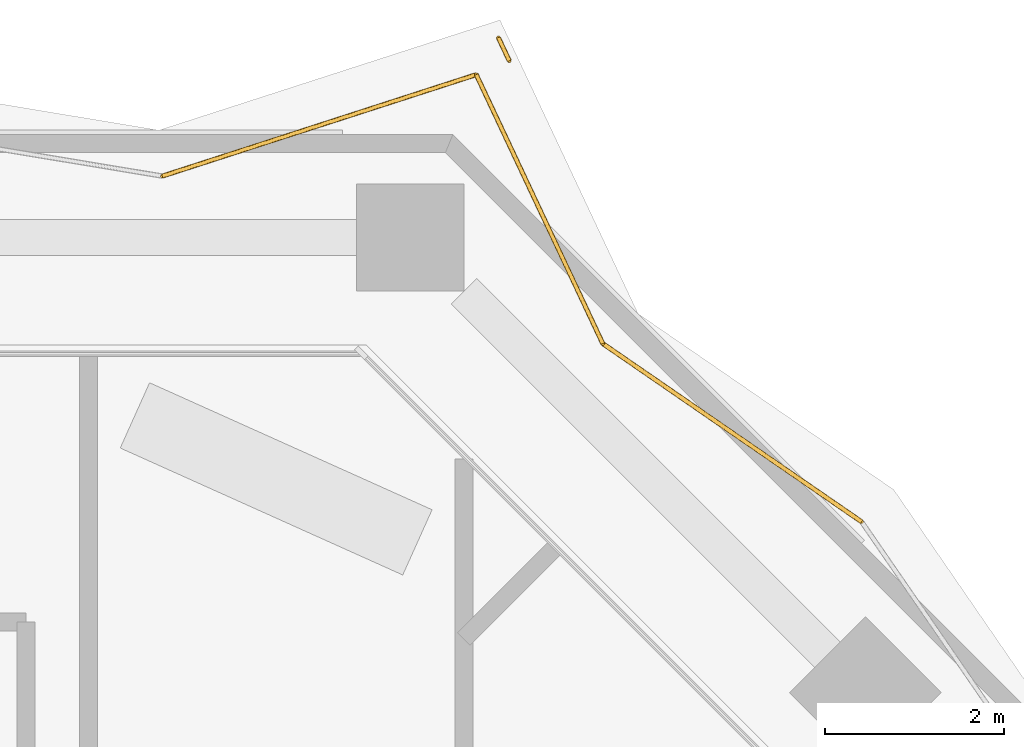
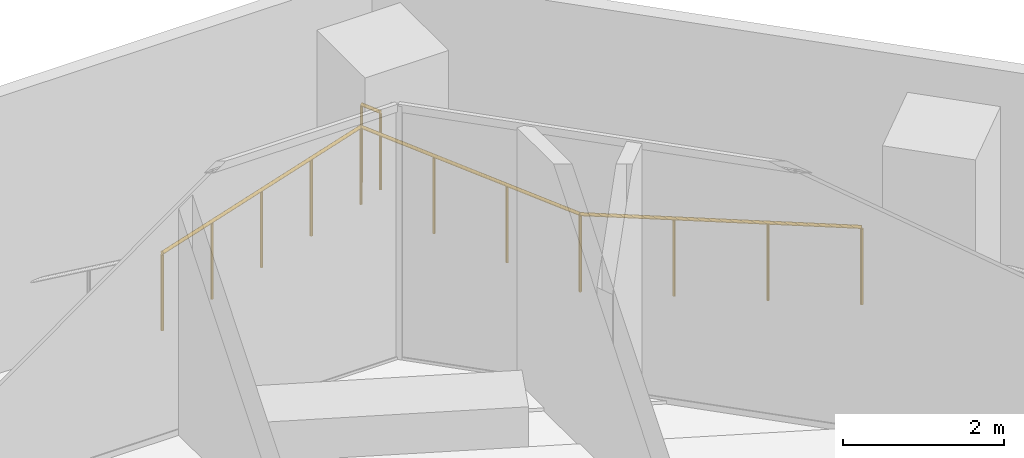
# One storey, part 22 of 24: 4 railings.
"""IFC4 building model written with IfcOpenShell, lengths in metres."""

import ifcopenshell
import ifcopenshell.guid

model = None  # the IFC model being written
_history = None  # IfcOwnerHistory: only IFC2X3 demands one
_inside = {}  # id of a spatial element -> (the spatial element, [elements in it])
_under = {}  # id of a project, library or spatial element -> (it, [spatial elements below it])
_declared = {}  # id of a project -> (the project, [libraries it declares])
_typed = {}  # id of a type object -> (the type object, [elements of that type])
_made_of = {}  # id of a material, layer set ... -> (it, [elements and type objects made of it])


def new_model(schema):
    """Start an empty IFC model of exactly this schema.

    Asked for "IFC4X3", IfcOpenShell would pick the latest addendum, in which some entities
    have other attributes; the version numbers below select the first issue.
    IFC2X3 requires an IfcOwnerHistory on every rooted entity: one is made here for all.
    """
    global model, _history
    if schema == "IFC4X3":
        model = ifcopenshell.file(schema_version=(4, 3, 0, 0))
    else:
        model = ifcopenshell.file(schema=schema)
    _inside.clear()
    _under.clear()
    _declared.clear()
    _typed.clear()
    _made_of.clear()
    _history = None
    if model.schema == "IFC2X3":
        org = make("IfcOrganization", Name="unknown")
        user = make(
            "IfcPersonAndOrganization",
            ThePerson=make("IfcPerson", FamilyName="unknown"),
            TheOrganization=org,
        )
        app = make(
            "IfcApplication",
            ApplicationDeveloper=org,
            Version="unknown",
            ApplicationFullName="unknown",
            ApplicationIdentifier="unknown",
        )
        _history = make(
            "IfcOwnerHistory",
            OwningUser=user,
            OwningApplication=app,
            ChangeAction="ADDED",
            CreationDate=0,
        )
    return model


def make(cls, **values):
    """One entity of the class cls with the attributes given. An attribute that is None is left unset."""
    return model.create_entity(
        cls, **{name: value for name, value in values.items() if value is not None}
    )


def rooted(cls, **values):
    """An entity with a GlobalId (a new one), such as an element, a storey or a relation."""
    return make(cls, GlobalId=ifcopenshell.guid.new(), OwnerHistory=_history, **values)


def si_unit(unit_type, name, prefix=None):
    """IfcSIUnit, for example si_unit("LENGTHUNIT", "METRE", prefix="MILLI")."""
    return make("IfcSIUnit", UnitType=unit_type, Prefix=prefix, Name=name)


def assignment(units):
    """IfcUnitAssignment: the units of a project."""
    return None if units is None else make("IfcUnitAssignment", Units=units)


def point(xyz):
    """IfcCartesianPoint."""
    return None if xyz is None else make("IfcCartesianPoint", Coordinates=xyz)


def direction(xyz):
    """IfcDirection."""
    return None if xyz is None else make("IfcDirection", DirectionRatios=xyz)


def frame(location, z_axis=None, x_axis=None):
    """IfcAxis2Placement3D, a coordinate frame: its origin and axes. An axis left out is left unset."""
    return make(
        "IfcAxis2Placement3D",
        Location=point(location),
        Axis=direction(z_axis),
        RefDirection=direction(x_axis),
    )


def frame_2d(location, x_axis=None):
    """IfcAxis2Placement2D, a coordinate frame in the plane: its origin and x axis."""
    return make(
        "IfcAxis2Placement2D", Location=point(location), RefDirection=direction(x_axis)
    )


def origin():
    """The frame at (0, 0, 0) with its axes left unset."""
    return frame((0.0, 0.0, 0.0))


def origin_2d():
    """The frame at (0, 0) in the plane with its x axis left unset."""
    return frame_2d((0.0, 0.0))


def place(relative_to, where):
    """IfcLocalPlacement: puts the frame where relative to a parent placement (None: the world)."""
    return make(
        "IfcLocalPlacement", PlacementRelTo=relative_to, RelativePlacement=where
    )


def context(
    kind, dimensions, precision=None, world=None, true_north=None, identifier=None
):
    """IfcGeometricRepresentationContext, for example the 3D "Model" context."""
    return make(
        "IfcGeometricRepresentationContext",
        ContextIdentifier=identifier,
        ContextType=kind,
        CoordinateSpaceDimension=dimensions,
        Precision=precision,
        WorldCoordinateSystem=world,
        TrueNorth=true_north,
    )


def subcontext(parent, identifier, kind, view, scale=None):
    """IfcGeometricRepresentationSubContext, for example "Body" below "Model"."""
    return make(
        "IfcGeometricRepresentationSubContext",
        ContextIdentifier=identifier,
        ContextType=kind,
        ParentContext=parent,
        TargetScale=scale,
        TargetView=view,
    )


def project(units=None, contexts=None):
    """IfcProject with its units and contexts."""
    return rooted(
        "IfcProject",
        Name="project",
        RepresentationContexts=contexts,
        UnitsInContext=assignment(units),
    )


def spatial(cls, under=None, at=None, **own):
    """A site, building, storey or space (cls), placed at a placement, below another one or the project."""
    s = rooted(cls, ObjectPlacement=at, **own)
    if under is not None:
        _under.setdefault(under.id(), (under, []))[1].append(s)
    return s


def profile(cls, at=None, kind="AREA", **sizes):
    """A parametric profile (cls). Its sizes go by their IFC names, for example OverallWidth=200.0."""
    return make(cls, ProfileType=kind, Position=at, **sizes)


def circle(**sizes):
    """IfcCircleProfileDef."""
    return profile("IfcCircleProfileDef", **sizes)


def extrude(swept, where, along, depth):
    """IfcExtrudedAreaSolid: the profile swept, set in the frame where, extruded along a direction by depth."""
    return make(
        "IfcExtrudedAreaSolid",
        SweptArea=swept,
        Position=where,
        ExtrudedDirection=direction(along),
        Depth=depth,
    )


def shape(context_of_items, identifier, shape_type, items):
    """IfcShapeRepresentation: the items that make up one representation, for example the "Body"."""
    return make(
        "IfcShapeRepresentation",
        ContextOfItems=context_of_items,
        RepresentationIdentifier=identifier,
        RepresentationType=shape_type,
        Items=items,
    )


def material(Name=None, Category=None):
    """IfcMaterial."""
    return make("IfcMaterial", Name=Name, Category=Category)


def made_of(thing, what):
    """Note that an element or type object is made of a material, layer set ...; save() writes the relation."""
    if what is not None:
        _made_of.setdefault(what.id(), (what, []))[1].append(thing)
    return thing


def type_object(cls, material=None, **own):
    """A type object (cls), such as IfcWallType, which elements share."""
    return made_of(rooted(cls, **own), material)


def element(
    cls,
    number,
    at=None,
    inside=None,
    cuts=None,
    type_object=None,
    material=None,
    context=None,
    identifier="Body",
    shape_type=None,
    held_by="IfcProductDefinitionShape",
    body=None,
    shapes=None,
    **own,
):
    """One element of the class cls, such as IfcWall. Its Tag is "e" and its number.

    at: its placement. inside: the storey or other place that contains it. cuts: it is an
    opening in that element (IfcRelVoidsElement). A single representation is given by context,
    identifier, shape_type and body (its items); several are given by shapes. held_by: the class
    of the entity that holds the representations. save() writes the other relations.
    """
    e = rooted(cls, Tag="e%d" % number, ObjectPlacement=at, **own)
    if body is not None:
        shapes = [shape(context, identifier, shape_type, body)]
    if shapes is not None:
        e.Representation = make(held_by, Representations=shapes)
    if inside is not None:
        _inside.setdefault(inside.id(), (inside, []))[1].append(e)
    if cuts is not None:
        rooted(
            "IfcRelVoidsElement", RelatingBuildingElement=cuts, RelatedOpeningElement=e
        )
    if type_object is not None:
        _typed.setdefault(type_object.id(), (type_object, []))[1].append(e)
    return made_of(e, material)


def aggregate(whole, parts):
    """IfcRelAggregates: a whole, such as a stair, and the parts it consists of."""
    return rooted("IfcRelAggregates", RelatingObject=whole, RelatedObjects=parts)


def save(model, path):
    """Write the relations noted so far, then the file.

    IfcRelAggregates (storeys below a building ...), IfcRelContainedInSpatialStructure (elements
    in a storey), IfcRelDefinesByType, IfcRelAssociatesMaterial and IfcRelDeclares: one each for
    every whole, place, type object, material and project.
    """
    for whole, parts in _under.values():
        aggregate(whole, parts)
    for where, things in _inside.values():
        rooted(
            "IfcRelContainedInSpatialStructure",
            RelatedElements=things,
            RelatingStructure=where,
        )
    for kind, things in _typed.values():
        rooted("IfcRelDefinesByType", RelatedObjects=things, RelatingType=kind)
    for what, things in _made_of.values():
        rooted("IfcRelAssociatesMaterial", RelatedObjects=things, RelatingMaterial=what)
    for by, libraries in _declared.values():
        rooted("IfcRelDeclares", RelatingContext=by, RelatedDefinitions=libraries)
    model.write(path)


model = new_model("IFC4")

# Units and contexts
model_context = context("Model", 3, precision=1e-05, world=origin(), true_north=direction((0.0, 1.0)))
body_context = subcontext(model_context, "Body", "Model", "MODEL_VIEW")
ifc_project = project(units=[si_unit("LENGTHUNIT", "METRE"), si_unit("AREAUNIT", "SQUARE_METRE"), si_unit("VOLUMEUNIT", "CUBIC_METRE"), si_unit("PLANEANGLEUNIT", "RADIAN"), si_unit("MASSUNIT", "GRAM", prefix="KILO")], contexts=[model_context])

# Site, building, storey
site_placement = place(None, origin())
site = spatial("IfcSite", under=ifc_project, at=site_placement, CompositionType="ELEMENT")
building_placement = place(site_placement, origin())
building = spatial("IfcBuilding", under=site, at=building_placement, Name="Windrow Commons", CompositionType="ELEMENT")
storey_placement = place(building_placement, frame((0.0, 0.0, 67.8)))
storey = spatial("IfcBuildingStorey", under=building, at=storey_placement, Name="L18", CompositionType="ELEMENT", Elevation=67.8)

# Railings
ifc_material = material(Name="Stainless steel S316 balustrade with toughened glass infill", Category="steel")
railing_type = type_object("IfcRailingType", Name="Terrace guard 1200 podium", PredefinedType="BALUSTRADE", material=ifc_material)
railing_1_placement = place(storey_placement, frame((76.4269, 72.6868, 0.05)))
element("IfcRailing", 1, at=railing_1_placement, inside=storey, type_object=railing_type, Name="Guard TR-L18-1.E37", PredefinedType="BALUSTRADE", context=body_context, shape_type="SweptSolid", body=[
    extrude(circle(Radius=0.025, at=origin_2d()), frame((0.0, 0.0, 1.175), z_axis=(0.9515243123, 0.3075735411, 0.0), x_axis=(-0.3075735411, 0.9515243123, 0.0)), (0.0, 0.0, 1.0), 3.6905),
    extrude(circle(Radius=0.02, at=origin_2d()), origin(), (0.0, 0.0, 1.0), 1.15),
    extrude(circle(Radius=0.02, at=origin_2d()), frame((0.8779, 0.2838, 0.0)), (0.0, 0.0, 1.0), 1.15),
    extrude(circle(Radius=0.02, at=origin_2d()), frame((1.7558, 0.5675, 0.0)), (0.0, 0.0, 1.0), 1.15),
    extrude(circle(Radius=0.02, at=origin_2d()), frame((2.6337, 0.8513, 0.0)), (0.0, 0.0, 1.0), 1.15),
    extrude(circle(Radius=0.02, at=origin_2d()), frame((3.5116, 1.1351, 0.0)), (0.0, 0.0, 1.0), 1.15),
])
railing_2_placement = place(storey_placement, frame((79.9385, 73.8219, 0.05)))
element("IfcRailing", 2, at=railing_2_placement, inside=storey, type_object=railing_type, Name="Guard TR-L18-1.E38", PredefinedType="BALUSTRADE", context=body_context, shape_type="SweptSolid", body=[
    extrude(circle(Radius=0.025, at=origin_2d()), frame((0.0, 0.0, 1.175), z_axis=(0.4256348068, -0.9048950277, 0.0), x_axis=(0.9048950277, 0.4256348068, 0.0)), (0.0, 0.0, 1.0), 3.3249),
    extrude(circle(Radius=0.02, at=origin_2d()), origin(), (0.0, 0.0, 1.0), 1.15),
    extrude(circle(Radius=0.02, at=origin_2d()), frame((0.4717, -1.0029, 0.0)), (0.0, 0.0, 1.0), 1.15),
    extrude(circle(Radius=0.02, at=origin_2d()), frame((0.9435, -2.0058, 0.0)), (0.0, 0.0, 1.0), 1.15),
    extrude(circle(Radius=0.02, at=origin_2d()), frame((1.4152, -3.0087, 0.0)), (0.0, 0.0, 1.0), 1.15),
])
railing_3_placement = place(storey_placement, frame((81.3537, 70.8132, 0.05)))
element("IfcRailing", 3, at=railing_3_placement, inside=storey, type_object=railing_type, Name="Guard TR-L18-1.E39", PredefinedType="BALUSTRADE", context=body_context, shape_type="SweptSolid", body=[
    extrude(circle(Radius=0.025, at=origin_2d()), frame((0.0, 0.0, 1.175), z_axis=(0.8236690996, -0.5670707314, 0.0), x_axis=(0.5670707314, 0.8236690996, 0.0)), (0.0, 0.0, 1.0), 3.5156),
    extrude(circle(Radius=0.02, at=origin_2d()), origin(), (0.0, 0.0, 1.0), 1.15),
    extrude(circle(Radius=0.02, at=origin_2d()), frame((0.9652, -0.6645, 0.0)), (0.0, 0.0, 1.0), 1.15),
    extrude(circle(Radius=0.02, at=origin_2d()), frame((1.9305, -1.3291, 0.0)), (0.0, 0.0, 1.0), 1.15),
    extrude(circle(Radius=0.02, at=origin_2d()), frame((2.8957, -1.9936, 0.0)), (0.0, 0.0, 1.0), 1.15),
])
railing_4_placement = place(storey_placement, frame((80.1861, 74.2353, 0.05)))
element("IfcRailing", 4, at=railing_4_placement, inside=storey, type_object=railing_type, Name="Guard TR-L18-1.C5", PredefinedType="BALUSTRADE", context=body_context, shape_type="SweptSolid", body=[
    extrude(circle(Radius=0.025, at=origin_2d()), frame((0.0, 0.0, 1.175), z_axis=(0.4254951772, -0.904960692, 0.0), x_axis=(0.904960692, 0.4254951772, 0.0)), (0.0, 0.0, 1.0), 0.2872),
    extrude(circle(Radius=0.02, at=origin_2d()), origin(), (0.0, 0.0, 1.0), 1.15),
    extrude(circle(Radius=0.02, at=origin_2d()), frame((0.1222, -0.2599, 0.0)), (0.0, 0.0, 1.0), 1.15),
])

save(model, "model.ifc")
